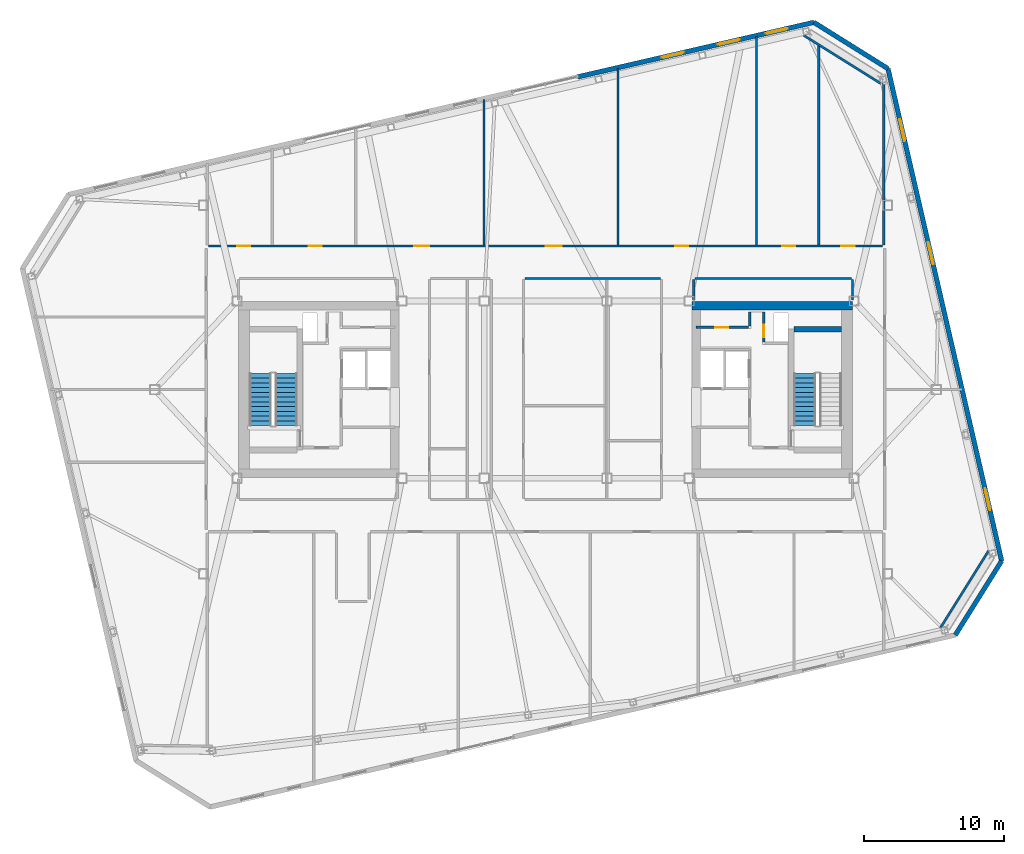
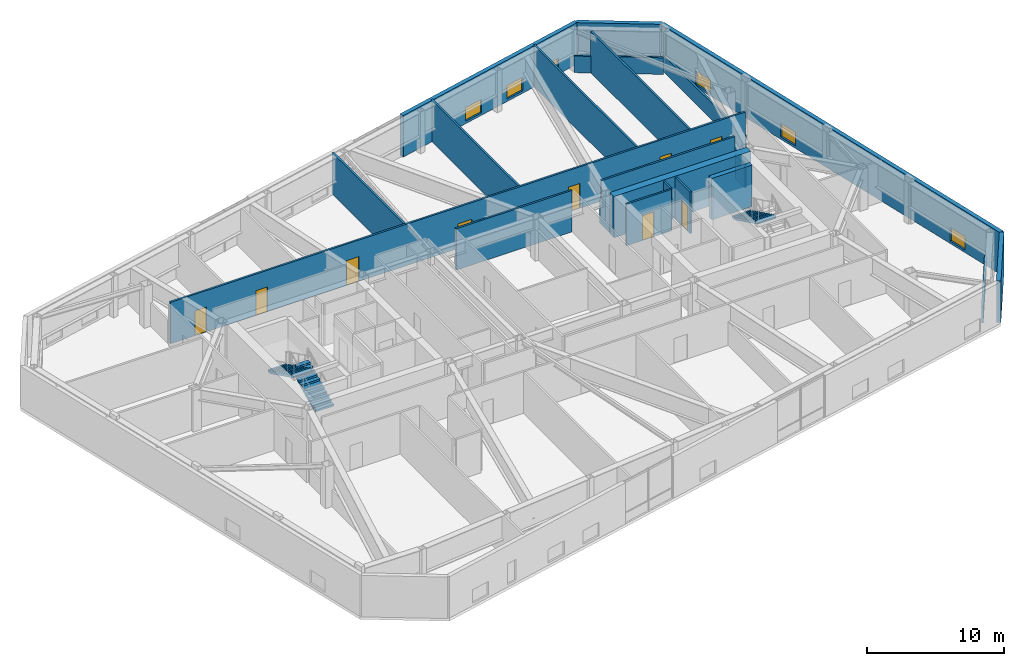
# One storey, part 19 of 23: 21 walls, 9 doors, 6 windows, 3 stair flights, 15 openings, 2 elements without a shape of their own.
"""IFC4 building model written with IfcOpenShell, lengths in metres."""

from ifc_helpers import new_model, si_unit, direction, frame, frame_2d, origin, place, context, subcontext, project, spatial, polyline, rectangle, outline, extrude, material, layer, layer_set, type_object, element, fill, aggregate, save


model = new_model("IFC4")

# Units and contexts
model_context = context("Model", 3, precision=1e-05, world=origin(), true_north=direction((0.0, 1.0)))
body_context = subcontext(model_context, "Body", "Model", "MODEL_VIEW")
ifc_project = project(units=[si_unit("LENGTHUNIT", "METRE"), si_unit("AREAUNIT", "SQUARE_METRE"), si_unit("VOLUMEUNIT", "CUBIC_METRE"), si_unit("PLANEANGLEUNIT", "RADIAN"), si_unit("MASSUNIT", "GRAM", prefix="KILO")], contexts=[model_context])

# Site, building, storey
site_placement = place(None, origin())
site = spatial("IfcSite", under=ifc_project, at=site_placement, CompositionType="ELEMENT")
building_placement = place(site_placement, origin())
building = spatial("IfcBuilding", under=site, at=building_placement, Name="Tavrogorsk Clinical Tower", CompositionType="ELEMENT")
storey_placement = place(building_placement, frame((0.0, 0.0, 329.0)))
storey = spatial("IfcBuildingStorey", under=building, at=storey_placement, Name="L77", CompositionType="ELEMENT", Elevation=329.0)

# Wall, opening, door
ifc_material_1 = material(Name="Lightweight concrete blockwork B15", Category="masonry")
ifc_layer_1 = layer(ifc_material_1, 0.159912109375)
ifc_layer_set_1 = layer_set([ifc_layer_1], Name="Lightweight concrete blockwork B15")
wall_type_1 = type_object("IfcWallType", Name="PartitionWall_160", PredefinedType="PARTITIONING", material=ifc_layer_set_1)
wall_1_placement = place(storey_placement, frame((10.800048828125, 4.4599609375, 0.0), z_axis=(0.0, 0.0, 1.0), x_axis=(1.0, 0.0, 0.0)))
wall_1 = element("IfcWall", 1, at=wall_1_placement, inside=storey, type_object=wall_type_1, Name="L77 Core East Pneumatic Dispatch South Wall", PredefinedType="PARTITIONING", context=body_context, shape_type="SweptSolid", body=[
    extrude(rectangle(XDim=3.7548828125, YDim=0.159912109375, at=frame_2d((1.87744140625, 0.0))), origin(), (0.0, 0.0, 1.0), 3.679931640625),
])
opening_1_placement = place(wall_1_placement, frame((1.35009765625, 0.0, 0.0)))
opening_1 = element("IfcOpeningElement", 2, at=opening_1_placement, cuts=wall_1, Name="Opening ID-02", PredefinedType="OPENING", context=body_context, shape_type="SweptSolid", body=[
    extrude(rectangle(XDim=0.949951171875, YDim=2.199951171875, at=frame_2d((0.47509765625, 1.10009765625))), frame((0.0, 0.08984375, 0.0), z_axis=(0.0, -1.0, 0.0), x_axis=(1.0, 0.0, 0.0)), (0.0, 0.0, 1.0), 0.179931640625),
])
ifc_material_2 = material(Name="Laminated timber leaf on aluminium frame", Category="wood")
door_type_1 = type_object("IfcDoorType", Name="InteriorDoor_ID02_950", OperationType="NOTDEFINED", PredefinedType="DOOR", material=ifc_material_2)
door_1_placement = place(opening_1_placement, origin())
door_1 = element("IfcDoor", 3, at=door_1_placement, inside=storey, type_object=door_type_1, Name="L77 Core East Pneumatic Dispatch Door", OperationType="SINGLE_SWING_LEFT", OverallHeight=2.199951171875, OverallWidth=0.949951171875, PredefinedType="DOOR", context=body_context, shape_type="SweptSolid", body=[
    extrude(rectangle(XDim=0.949951171875, YDim=2.199951171875, at=frame_2d((0.47509765625, 1.10009765625))), frame((0.0, 0.02490234375, 0.0), z_axis=(0.0, -1.0, 0.0), x_axis=(1.0, 0.0, 0.0)), (0.0, 0.0, 1.0), 0.050048828125),
])
fill(opening_1, door_1)

# Walls
wall_2_placement = place(storey_placement, frame((14.639892578125, 4.544921875, 0.0), z_axis=(0.0, 0.0, 1.0), x_axis=(0.0, 1.0, 0.0)))
element("IfcWall", 4, at=wall_2_placement, inside=storey, type_object=wall_type_1, Name="L77 Core East Pneumatic Dispatch East Wall", PredefinedType="PARTITIONING", context=body_context, shape_type="SweptSolid", body=[
    extrude(rectangle(XDim=1.01513671875, YDim=0.159912109375, at=frame_2d((0.507568359375, 0.0))), origin(), (0.0, 0.0, 1.0), 3.679931640625),
])
for number, where, z_axis, x_axis, name in (
    (5, (28.30029296875, -17.064697265625, 0.0), (0.0, 0.0, 1.0), (0.529914601736, 0.848051009591, 0.0), "L77 Corner Exoskeleton Brace Furring Wall 1"),
    (6, (24.018310546875, 21.9306640625, 0.0), (0.0, 0.0, 1.0), (-0.848051009591, 0.529914601736, 0.0), "L77 Corner Exoskeleton Brace Furring Wall 2"),
):
    element("IfcWall", number, at=place(storey_placement, frame(where, z_axis=z_axis, x_axis=x_axis)), inside=storey, type_object=wall_type_1, Name=name, PredefinedType="PARTITIONING", context=body_context, shape_type="SweptSolid", body=[
        extrude(rectangle(XDim=6.50537109375, YDim=0.159912109375, at=frame_2d((3.252685546875, 0.0))), origin(), (0.0, 0.0, 1.0), 1.47509765625),
    ])

# Wall, openings, doors
wall_3_placement = place(storey_placement, frame((-24.14501953125, 10.280029296875, 0.0), z_axis=(0.0, 0.0, 1.0), x_axis=(1.0, 0.0, 0.0)))
wall_3 = element("IfcWall", 7, at=wall_3_placement, inside=storey, type_object=wall_type_1, Name="L77 Corridor Partition 02", PredefinedType="PARTITIONING", context=body_context, shape_type="SweptSolid", body=[
    extrude(rectangle(XDim=48.2900390625, YDim=0.159912109375, at=frame_2d((24.14501953125, 0.0))), origin(), (0.0, 0.0, 1.0), 3.679931640625),
])
opening_2_placement = place(wall_3_placement, frame((2.044189453125, 0.0, 0.0)))
opening_2 = element("IfcOpeningElement", 8, at=opening_2_placement, cuts=wall_3, Name="Opening ID-02", PredefinedType="OPENING", context=body_context, shape_type="SweptSolid", body=[
    extrude(rectangle(XDim=0.949951171875, YDim=2.199951171875, at=frame_2d((0.47509765625, 1.10009765625))), frame((0.0, 0.08984375, 0.0), z_axis=(0.0, -1.0, 0.0), x_axis=(1.0, 0.0, 0.0)), (0.0, 0.0, 1.0), 0.179931640625),
])
opening_3_placement = place(wall_3_placement, frame((7.1650390625, 0.0, 0.0)))
opening_3 = element("IfcOpeningElement", 9, at=opening_3_placement, cuts=wall_3, Name="Opening ID-02", PredefinedType="OPENING", context=body_context, shape_type="SweptSolid", body=[
    extrude(rectangle(XDim=0.949951171875, YDim=2.199951171875, at=frame_2d((0.47509765625, 1.10009765625))), frame((0.0, 0.08984375, 0.0), z_axis=(0.0, -1.0, 0.0), x_axis=(1.0, 0.0, 0.0)), (0.0, 0.0, 1.0), 0.179931640625),
])
opening_4_placement = place(wall_3_placement, frame((14.7548828125, 0.0, 0.0)))
opening_4 = element("IfcOpeningElement", 10, at=opening_4_placement, cuts=wall_3, Name="Opening ID-04", PredefinedType="OPENING", context=body_context, shape_type="SweptSolid", body=[
    extrude(rectangle(XDim=1.050048828125, YDim=2.199951171875, at=frame_2d((0.52490234375, 1.10009765625))), frame((0.0, 0.08984375, 0.0), z_axis=(0.0, -1.0, 0.0), x_axis=(1.0, 0.0, 0.0)), (0.0, 0.0, 1.0), 0.179931640625),
])
opening_5_placement = place(wall_3_placement, frame((24.155029296875, 0.0, 0.0)))
opening_5 = element("IfcOpeningElement", 11, at=opening_5_placement, cuts=wall_3, Name="Opening ID-06", PredefinedType="OPENING", context=body_context, shape_type="SweptSolid", body=[
    extrude(rectangle(XDim=1.14990234375, YDim=2.199951171875, at=frame_2d((0.574951171875, 1.10009765625))), frame((0.0, 0.08984375, 0.0), z_axis=(0.0, -1.0, 0.0), x_axis=(1.0, 0.0, 0.0)), (0.0, 0.0, 1.0), 0.179931640625),
])
opening_6_placement = place(wall_3_placement, frame((33.43505859375, 0.0, 0.0)))
opening_6 = element("IfcOpeningElement", 12, at=opening_6_placement, cuts=wall_3, Name="Opening ID-02", PredefinedType="OPENING", context=body_context, shape_type="SweptSolid", body=[
    extrude(rectangle(XDim=0.949951171875, YDim=2.199951171875, at=frame_2d((0.47509765625, 1.10009765625))), frame((0.0, 0.08984375, 0.0), z_axis=(0.0, -1.0, 0.0), x_axis=(1.0, 0.0, 0.0)), (0.0, 0.0, 1.0), 0.179931640625),
])
opening_7_placement = place(wall_3_placement, frame((41.10498046875, 0.0, 0.0)))
opening_7 = element("IfcOpeningElement", 13, at=opening_7_placement, cuts=wall_3, Name="Opening ID-02", PredefinedType="OPENING", context=body_context, shape_type="SweptSolid", body=[
    extrude(rectangle(XDim=0.949951171875, YDim=2.199951171875, at=frame_2d((0.47509765625, 1.10009765625))), frame((0.0, 0.08984375, 0.0), z_axis=(0.0, -1.0, 0.0), x_axis=(1.0, 0.0, 0.0)), (0.0, 0.0, 1.0), 0.179931640625),
])
opening_8_placement = place(wall_3_placement, frame((45.345947265625, 0.0, 0.0)))
opening_8 = element("IfcOpeningElement", 14, at=opening_8_placement, cuts=wall_3, Name="Opening ID-02", PredefinedType="OPENING", context=body_context, shape_type="SweptSolid", body=[
    extrude(rectangle(XDim=0.949951171875, YDim=2.199951171875, at=frame_2d((0.47509765625, 1.10009765625))), frame((0.0, 0.08984375, 0.0), z_axis=(0.0, -1.0, 0.0), x_axis=(1.0, 0.0, 0.0)), (0.0, 0.0, 1.0), 0.179931640625),
])
ifc_material_3 = material(Name="Antibacterial HPL consultation door on aluminium frame", Category="aluminium")
door_type_2 = type_object("IfcDoorType", Name="ConsultDoor_ID04_1050", OperationType="NOTDEFINED", PredefinedType="DOOR", material=ifc_material_3)
door_2_placement = place(opening_4_placement, origin())
door_2 = element("IfcDoor", 15, at=door_2_placement, inside=storey, type_object=door_type_2, Name="L77 North Telemedicine & AI Diagnostics Research Office 03 Door", OperationType="SINGLE_SWING_LEFT", OverallHeight=2.199951171875, OverallWidth=1.050048828125, PredefinedType="DOOR", context=body_context, shape_type="SweptSolid", body=[
    extrude(rectangle(XDim=1.050048828125, YDim=2.199951171875, at=frame_2d((0.52490234375, 1.10009765625))), frame((0.0, 0.02490234375, 0.0), z_axis=(0.0, -1.0, 0.0), x_axis=(1.0, 0.0, 0.0)), (0.0, 0.0, 1.0), 0.050048828125),
])
fill(opening_4, door_2)
door_3_placement = place(opening_2_placement, origin())
door_3 = element("IfcDoor", 16, at=door_3_placement, inside=storey, type_object=door_type_1, Name="L77 North Senior Faculty Study & Library 01 Door", OperationType="SINGLE_SWING_LEFT", OverallHeight=2.199951171875, OverallWidth=0.949951171875, PredefinedType="DOOR", context=body_context, shape_type="SweptSolid", body=[
    extrude(rectangle(XDim=0.949951171875, YDim=2.199951171875, at=frame_2d((0.47509765625, 1.10009765625))), frame((0.0, 0.02490234375, 0.0), z_axis=(0.0, -1.0, 0.0), x_axis=(1.0, 0.0, 0.0)), (0.0, 0.0, 1.0), 0.050048828125),
])
fill(opening_2, door_3)
door_4_placement = place(opening_3_placement, origin())
door_4 = element("IfcDoor", 17, at=door_4_placement, inside=storey, type_object=door_type_1, Name="L77 North Grand Rounds Academic Lecture Hall 02 Door", OperationType="SINGLE_SWING_RIGHT", OverallHeight=2.199951171875, OverallWidth=0.949951171875, PredefinedType="DOOR", context=body_context, shape_type="SweptSolid", body=[
    extrude(rectangle(XDim=0.949951171875, YDim=2.199951171875, at=frame_2d((0.47509765625, 1.10009765625))), frame((0.0, 0.02490234375, 0.0), z_axis=(0.0, -1.0, 0.0), x_axis=(1.0, 0.0, 0.0)), (0.0, 0.0, 1.0), 0.050048828125),
])
fill(opening_3, door_4)
door_5_placement = place(opening_6_placement, origin())
door_5 = element("IfcDoor", 18, at=door_5_placement, inside=storey, type_object=door_type_1, Name="L77 North Senior Faculty Study & Library 05 Door", OperationType="SINGLE_SWING_LEFT", OverallHeight=2.199951171875, OverallWidth=0.949951171875, PredefinedType="DOOR", context=body_context, shape_type="SweptSolid", body=[
    extrude(rectangle(XDim=0.949951171875, YDim=2.199951171875, at=frame_2d((0.47509765625, 1.10009765625))), frame((0.0, 0.02490234375, 0.0), z_axis=(0.0, -1.0, 0.0), x_axis=(1.0, 0.0, 0.0)), (0.0, 0.0, 1.0), 0.050048828125),
])
fill(opening_6, door_5)
door_6_placement = place(opening_7_placement, origin())
door_6 = element("IfcDoor", 19, at=door_6_placement, inside=storey, type_object=door_type_1, Name="L77 North Grand Rounds Academic Lecture Hall 06 Door", OperationType="SINGLE_SWING_RIGHT", OverallHeight=2.199951171875, OverallWidth=0.949951171875, PredefinedType="DOOR", context=body_context, shape_type="SweptSolid", body=[
    extrude(rectangle(XDim=0.949951171875, YDim=2.199951171875, at=frame_2d((0.47509765625, 1.10009765625))), frame((0.0, 0.02490234375, 0.0), z_axis=(0.0, -1.0, 0.0), x_axis=(1.0, 0.0, 0.0)), (0.0, 0.0, 1.0), 0.050048828125),
])
fill(opening_7, door_6)
door_7_placement = place(opening_8_placement, origin())
door_7 = element("IfcDoor", 20, at=door_7_placement, inside=storey, type_object=door_type_1, Name="L77 North Telemedicine & AI Diagnostics Research Office 07 Door", OperationType="SINGLE_SWING_LEFT", OverallHeight=2.199951171875, OverallWidth=0.949951171875, PredefinedType="DOOR", context=body_context, shape_type="SweptSolid", body=[
    extrude(rectangle(XDim=0.949951171875, YDim=2.199951171875, at=frame_2d((0.47509765625, 1.10009765625))), frame((0.0, 0.02490234375, 0.0), z_axis=(0.0, -1.0, 0.0), x_axis=(1.0, 0.0, 0.0)), (0.0, 0.0, 1.0), 0.050048828125),
])
fill(opening_8, door_7)
ifc_material_4 = material(Name="Antibacterial HPL procedure door on aluminium frame", Category="aluminium")
door_type_3 = type_object("IfcDoorType", Name="LabDoor_ID06_1150", OperationType="NOTDEFINED", PredefinedType="DOOR", material=ifc_material_4)
door_8_placement = place(opening_5_placement, origin())
door_8 = element("IfcDoor", 21, at=door_8_placement, inside=storey, type_object=door_type_3, Name="L77 North Visiting Clinicians Panorama Lounge 04 Door", OperationType="SINGLE_SWING_RIGHT", OverallHeight=2.199951171875, OverallWidth=1.14990234375, PredefinedType="DOOR", context=body_context, shape_type="SweptSolid", body=[
    extrude(rectangle(XDim=1.14990234375, YDim=2.199951171875, at=frame_2d((0.574951171875, 1.10009765625))), frame((0.0, 0.02490234375, 0.0), z_axis=(0.0, -1.0, 0.0), x_axis=(1.0, 0.0, 0.0)), (0.0, 0.0, 1.0), 0.050048828125),
])
fill(opening_5, door_8)

# Walls
wall_4_placement = place(storey_placement, frame((21.9150390625, 7.969970703125, 0.0), z_axis=(0.0, 0.0, 1.0), x_axis=(-1.0, 0.0, 0.0)))
element("IfcWall", 22, at=wall_4_placement, inside=storey, type_object=wall_type_1, Name="L77 Corridor Partition 09", PredefinedType="PARTITIONING", context=body_context, shape_type="SweptSolid", body=[
    extrude(rectangle(XDim=11.199951171875, YDim=0.159912109375, at=frame_2d((5.60009765625, 0.0))), origin(), (0.0, 0.0, 1.0), 3.679931640625),
])
for number, where, z_axis, x_axis, name in (
    (23, (10.6298828125, 7.885009765625, 0.0), (0.0, 0.0, 1.0), (0.0, -1.0, 0.0), "L77 Corridor Partition 10"),
    (24, (22.0, 6.419921875, 0.0), (0.0, 0.0, 1.0), (0.0, 1.0, 0.0), "L77 Corridor Partition 14"),
):
    element("IfcWall", number, at=place(storey_placement, frame(where, z_axis=z_axis, x_axis=x_axis)), inside=storey, type_object=wall_type_1, Name=name, PredefinedType="PARTITIONING", context=body_context, shape_type="SweptSolid", body=[
        extrude(rectangle(XDim=1.465087890625, YDim=0.159912109375, at=frame_2d((0.732421875, 0.0))), origin(), (0.0, 0.0, 1.0), 2.074951171875),
    ])
wall_5_placement = place(storey_placement, frame((8.235107421875, 7.969970703125, 0.0), z_axis=(0.0, 0.0, 1.0), x_axis=(-1.0, 0.0, 0.0)))
element("IfcWall", 25, at=wall_5_placement, inside=storey, type_object=wall_type_1, Name="L77 Corridor Partition 15", PredefinedType="PARTITIONING", context=body_context, shape_type="SweptSolid", body=[
    extrude(rectangle(XDim=9.72021484375, YDim=0.159912109375, at=frame_2d((4.860107421875, 0.0))), origin(), (0.0, 0.0, 1.0), 3.679931640625),
])
wall_6_placement = place(storey_placement, frame((24.22998046875, 10.364990234375, 0.0), z_axis=(0.0, 0.0, 1.0), x_axis=(0.0, 1.0, 0.0)))
element("IfcWall", 26, at=wall_6_placement, inside=storey, type_object=wall_type_1, Name="L77 NE Wing Closure Partition", PredefinedType="PARTITIONING", context=body_context, shape_type="SweptSolid", body=[
    extrude(rectangle(XDim=12.206298828125, YDim=0.159912109375, at=frame_2d((6.10302734375, 0.0))), origin(), (0.0, 0.0, 1.0), 1.47509765625),
])
wall_7_placement = place(storey_placement, frame((-4.39990234375, 10.364990234375, 0.0), z_axis=(0.0, 0.0, 1.0), x_axis=(0.0, 1.0, 0.0)))
element("IfcWall", 27, at=wall_7_placement, inside=storey, type_object=wall_type_1, Name="L77 North Room Partition 3", PredefinedType="PARTITIONING", context=body_context, shape_type="SweptSolid", body=[
    extrude(rectangle(XDim=10.424072265625, YDim=0.159912109375, at=frame_2d((5.2119140625, 0.0))), origin(), (0.0, 0.0, 1.0), 3.679931640625),
])
wall_8_placement = place(storey_placement, frame((5.199951171875, 10.364990234375, 0.0), z_axis=(0.0, 0.0, 1.0), x_axis=(0.0, 1.0, 0.0)))
element("IfcWall", 28, at=wall_8_placement, inside=storey, type_object=wall_type_1, Name="L77 North Room Partition 4", PredefinedType="PARTITIONING", context=body_context, shape_type="SweptSolid", body=[
    extrude(rectangle(XDim=12.640380859375, YDim=0.159912109375, at=frame_2d((6.3203125, 0.0))), origin(), (0.0, 0.0, 1.0), 3.679931640625),
])
wall_9_placement = place(storey_placement, frame((15.1201171875, 10.364990234375, 0.0), z_axis=(0.0, 0.0, 1.0), x_axis=(0.0, 1.0, 0.0)))
element("IfcWall", 29, at=wall_9_placement, inside=storey, type_object=wall_type_1, Name="L77 North Room Partition 5", PredefinedType="PARTITIONING", context=body_context, shape_type="SweptSolid", body=[
    extrude(rectangle(XDim=14.9306640625, YDim=0.159912109375, at=frame_2d((7.46533203125, 0.0))), origin(), (0.0, 0.0, 1.0), 3.679931640625),
])
wall_10_placement = place(storey_placement, frame((19.580078125, 10.364990234375, 0.0), z_axis=(0.0, 0.0, 1.0), x_axis=(0.0, 1.0, 0.0)))
element("IfcWall", 30, at=wall_10_placement, inside=storey, type_object=wall_type_1, Name="L77 North Room Partition 6", PredefinedType="PARTITIONING", context=body_context, shape_type="SweptSolid", body=[
    extrude(rectangle(XDim=14.348388671875, YDim=0.159912109375, at=frame_2d((7.17431640625, 0.0))), origin(), (0.0, 0.0, 1.0), 3.679931640625),
])

# Wall, openings, windows
ifc_material_5 = material(Name="Precast concrete B45 with limestone cladding", Category="masonry")
ifc_layer_2 = layer(ifc_material_5, 0.340087890625)
ifc_layer_set_2 = layer_set([ifc_layer_2], Name="Precast concrete B45 with limestone cladding")
wall_type_2 = type_object("IfcWallType", Name="PrecastLimestoneWall_340", PredefinedType="STANDARD", material=ifc_layer_set_2)
wall_11_placement = place(storey_placement, frame((19.2294921875, 26.316162109375, 0.0), z_axis=(0.0, 0.0, 1.0), x_axis=(-0.974372473594, -0.224940620392, 0.0)))
wall_11 = element("IfcWall", 31, at=wall_11_placement, inside=storey, type_object=wall_type_2, Name="L77 N Limestone Facade Wall 1", PredefinedType="STANDARD", context=body_context, shape_type="SweptSolid", body=[
    extrude(rectangle(XDim=17.36572265625, YDim=0.340087890625, at=frame_2d((8.682861328125, 0.0))), origin(), (0.0, 0.0, 1.0), 3.679931640625),
])
opening_9_placement = place(wall_11_placement, frame((9.57568359375, 0.0, 0.219970703125)))
opening_9 = element("IfcOpeningElement", 32, at=opening_9_placement, cuts=wall_11, Name="Opening WN-09", PredefinedType="OPENING", context=body_context, shape_type="SweptSolid", body=[
    extrude(rectangle(XDim=1.60009765625, YDim=1.199951171875, at=frame_2d((0.800048828125, 0.60009765625))), frame((0.0, 0.179931640625, 0.0), z_axis=(0.0, -1.0, 0.0), x_axis=(1.0, 0.0, 0.0)), (0.0, 0.0, 1.0), 0.360107421875),
])
opening_10_placement = place(wall_11_placement, frame((5.453125, 0.0, 0.219970703125)))
opening_10 = element("IfcOpeningElement", 33, at=opening_10_placement, cuts=wall_11, Name="Opening WN-09", PredefinedType="OPENING", context=body_context, shape_type="SweptSolid", body=[
    extrude(rectangle(XDim=1.60009765625, YDim=1.199951171875, at=frame_2d((0.800048828125, 0.60009765625))), frame((0.0, 0.179931640625, 0.0), z_axis=(0.0, -1.0, 0.0), x_axis=(1.0, 0.0, 0.0)), (0.0, 0.0, 1.0), 0.360107421875),
])
opening_11_placement = place(wall_11_placement, frame((1.94140625, 0.0, 0.219970703125)))
opening_11 = element("IfcOpeningElement", 34, at=opening_11_placement, cuts=wall_11, Name="Opening WN-09", PredefinedType="OPENING", context=body_context, shape_type="SweptSolid", body=[
    extrude(rectangle(XDim=1.60009765625, YDim=1.199951171875, at=frame_2d((0.800048828125, 0.60009765625))), frame((0.0, 0.179931640625, 0.0), z_axis=(0.0, -1.0, 0.0), x_axis=(1.0, 0.0, 0.0)), (0.0, 0.0, 1.0), 0.360107421875),
])
ifc_material_6 = material(Name="Thermally broken aluminium frame and triple IGU", Category="aluminium")
window_type = type_object("IfcWindowType", Name="LowHeadTransWin_1600x1200", PartitioningType="DOUBLE_PANEL_VERTICAL", PredefinedType="WINDOW", material=ifc_material_6)
window_1_placement = place(opening_9_placement, origin())
window_1 = element("IfcWindow", 35, at=window_1_placement, inside=storey, type_object=window_type, Name="L77 N Chicago Window 08", OverallHeight=1.199951171875, OverallWidth=1.60009765625, PartitioningType="SINGLE_PANEL", PredefinedType="WINDOW", context=body_context, shape_type="SweptSolid", body=[
    extrude(rectangle(XDim=1.60009765625, YDim=1.199951171875, at=frame_2d((0.800048828125, 0.60009765625))), frame((0.0, 0.030029296875, 0.0), z_axis=(0.0, -1.0, 0.0), x_axis=(1.0, 0.0, 0.0)), (0.0, 0.0, 1.0), 0.06005859375),
])
fill(opening_9, window_1)
window_2_placement = place(opening_10_placement, origin())
window_2 = element("IfcWindow", 36, at=window_2_placement, inside=storey, type_object=window_type, Name="L77 N Chicago Window 09", OverallHeight=1.199951171875, OverallWidth=1.60009765625, PartitioningType="SINGLE_PANEL", PredefinedType="WINDOW", context=body_context, shape_type="SweptSolid", body=[
    extrude(rectangle(XDim=1.60009765625, YDim=1.199951171875, at=frame_2d((0.800048828125, 0.60009765625))), frame((0.0, 0.030029296875, 0.0), z_axis=(0.0, -1.0, 0.0), x_axis=(1.0, 0.0, 0.0)), (0.0, 0.0, 1.0), 0.06005859375),
])
fill(opening_10, window_2)
window_3_placement = place(opening_11_placement, origin())
window_3 = element("IfcWindow", 37, at=window_3_placement, inside=storey, type_object=window_type, Name="L77 N Chicago Window 10", OverallHeight=1.199951171875, OverallWidth=1.60009765625, PartitioningType="SINGLE_PANEL", PredefinedType="WINDOW", context=body_context, shape_type="SweptSolid", body=[
    extrude(rectangle(XDim=1.60009765625, YDim=1.199951171875, at=frame_2d((0.800048828125, 0.60009765625))), frame((0.0, 0.030029296875, 0.0), z_axis=(0.0, -1.0, 0.0), x_axis=(1.0, 0.0, 0.0)), (0.0, 0.0, 1.0), 0.06005859375),
])
fill(opening_11, window_3)

wall_12_placement = place(storey_placement, frame((32.685791015625, -12.27587890625, 0.0), z_axis=(0.0, 0.0, 1.0), x_axis=(-0.224953091034, 0.974369594576, 0.0)))
wall_12 = element("IfcWall", 38, at=wall_12_placement, inside=storey, type_object=wall_type_2, Name="L77 E Pleated Limestone Wing Wall", PredefinedType="STANDARD", context=body_context, shape_type="SweptSolid", body=[
    extrude(rectangle(XDim=36.199951171875, YDim=0.340087890625, at=frame_2d((18.10009765625, 0.0))), origin(), (0.0, 0.0, 1.0), 3.679931640625),
])
opening_12_placement = place(wall_12_placement, frame((3.72509765625, 0.0, 0.219970703125)))
opening_12 = element("IfcOpeningElement", 39, at=opening_12_placement, cuts=wall_12, Name="Opening WN-09", PredefinedType="OPENING", context=body_context, shape_type="SweptSolid", body=[
    extrude(rectangle(XDim=1.60009765625, YDim=1.199951171875, at=frame_2d((0.800048828125, 0.60009765625))), frame((0.0, 0.179931640625, 0.0), z_axis=(0.0, -1.0, 0.0), x_axis=(1.0, 0.0, 0.0)), (0.0, 0.0, 1.0), 0.360107421875),
])
opening_13_placement = place(wall_12_placement, frame((21.824951171875, 0.0, 0.219970703125)))
opening_13 = element("IfcOpeningElement", 40, at=opening_13_placement, cuts=wall_12, Name="Opening WN-09", PredefinedType="OPENING", context=body_context, shape_type="SweptSolid", body=[
    extrude(rectangle(XDim=1.60009765625, YDim=1.199951171875, at=frame_2d((0.800048828125, 0.60009765625))), frame((0.0, 0.179931640625, 0.0), z_axis=(0.0, -1.0, 0.0), x_axis=(1.0, 0.0, 0.0)), (0.0, 0.0, 1.0), 0.360107421875),
])
opening_14_placement = place(wall_12_placement, frame((30.875, 0.0, 0.219970703125)))
opening_14 = element("IfcOpeningElement", 41, at=opening_14_placement, cuts=wall_12, Name="Opening WN-09", PredefinedType="OPENING", context=body_context, shape_type="SweptSolid", body=[
    extrude(rectangle(XDim=1.60009765625, YDim=1.199951171875, at=frame_2d((0.800048828125, 0.60009765625))), frame((0.0, 0.179931640625, 0.0), z_axis=(0.0, -1.0, 0.0), x_axis=(1.0, 0.0, 0.0)), (0.0, 0.0, 1.0), 0.360107421875),
])
window_4_placement = place(opening_12_placement, origin())
window_4 = element("IfcWindow", 42, at=window_4_placement, inside=storey, type_object=window_type, Name="L77 E Pleat Slot Window 1", OverallHeight=1.199951171875, OverallWidth=1.60009765625, PartitioningType="SINGLE_PANEL", PredefinedType="WINDOW", context=body_context, shape_type="SweptSolid", body=[
    extrude(rectangle(XDim=1.60009765625, YDim=1.199951171875, at=frame_2d((0.800048828125, 0.60009765625))), frame((0.0, 0.030029296875, 0.0), z_axis=(0.0, -1.0, 0.0), x_axis=(1.0, 0.0, 0.0)), (0.0, 0.0, 1.0), 0.06005859375),
])
fill(opening_12, window_4)
window_5_placement = place(opening_13_placement, origin())
window_5 = element("IfcWindow", 43, at=window_5_placement, inside=storey, type_object=window_type, Name="L77 E Pleat Slot Window 3", OverallHeight=1.199951171875, OverallWidth=1.60009765625, PartitioningType="SINGLE_PANEL", PredefinedType="WINDOW", context=body_context, shape_type="SweptSolid", body=[
    extrude(rectangle(XDim=1.60009765625, YDim=1.199951171875, at=frame_2d((0.800048828125, 0.60009765625))), frame((0.0, 0.030029296875, 0.0), z_axis=(0.0, -1.0, 0.0), x_axis=(1.0, 0.0, 0.0)), (0.0, 0.0, 1.0), 0.06005859375),
])
fill(opening_13, window_5)
window_6_placement = place(opening_14_placement, origin())
window_6 = element("IfcWindow", 44, at=window_6_placement, inside=storey, type_object=window_type, Name="L77 E Pleat Slot Window 4", OverallHeight=1.199951171875, OverallWidth=1.60009765625, PartitioningType="SINGLE_PANEL", PredefinedType="WINDOW", context=body_context, shape_type="SweptSolid", body=[
    extrude(rectangle(XDim=1.60009765625, YDim=1.199951171875, at=frame_2d((0.800048828125, 0.60009765625))), frame((0.0, 0.030029296875, 0.0), z_axis=(0.0, -1.0, 0.0), x_axis=(1.0, 0.0, 0.0)), (0.0, 0.0, 1.0), 0.06005859375),
])
fill(opening_14, window_6)

# Walls
for number, where, z_axis, x_axis, name in (
    (45, (29.365966796875, -17.5888671875, 0.0), (0.0, 0.0, 1.0), (0.529907862057, 0.848055220921, 0.0), "L77 Chamfered Corner Wall 1"),
    (46, (24.54248046875, 22.996337890625, 0.0), (0.0, 0.0, 1.0), (-0.848055220921, 0.529907862057, 0.0), "L77 Chamfered Corner Wall 2"),
):
    element("IfcWall", number, at=place(storey_placement, frame(where, z_axis=z_axis, x_axis=x_axis)), inside=storey, type_object=wall_type_2, Name=name, PredefinedType="STANDARD", context=body_context, shape_type="SweptSolid", body=[
        extrude(rectangle(XDim=6.264892578125, YDim=0.340087890625, at=frame_2d((3.13232421875, 0.0))), origin(), (0.0, 0.0, 1.0), 3.679931640625),
    ])

# Wall, opening, door
ifc_material_7 = material(Name="Lightweight concrete blockwork B25", Category="masonry")
ifc_layer_3 = layer(ifc_material_7, 0.159912109375)
ifc_layer_set_3 = layer_set([ifc_layer_3], Name="Lightweight concrete blockwork B25")
wall_type_3 = type_object("IfcWallType", Name="ShaftWall_160", PredefinedType="PARTITIONING", material=ifc_layer_set_3)
wall_13_placement = place(storey_placement, frame((15.639892578125, 3.405029296875, 0.0), z_axis=(0.0, 0.0, 1.0), x_axis=(0.0, 1.0, 0.0)))
wall_13 = element("IfcWall", 47, at=wall_13_placement, inside=storey, type_object=wall_type_3, Name="L77 Core East Riser West Wall", PredefinedType="PARTITIONING", context=body_context, shape_type="SweptSolid", body=[
    extrude(rectangle(XDim=2.155029296875, YDim=0.159912109375, at=frame_2d((1.07763671875, 0.0))), origin(), (0.0, 0.0, 1.0), 3.679931640625),
])
opening_15_placement = place(wall_13_placement, frame((0.35009765625, 0.0, 0.0)))
opening_15 = element("IfcOpeningElement", 48, at=opening_15_placement, cuts=wall_13, Name="Opening FD-02", PredefinedType="OPENING", context=body_context, shape_type="SweptSolid", body=[
    extrude(rectangle(XDim=0.89990234375, YDim=2.199951171875, at=frame_2d((0.449951171875, 1.10009765625))), frame((0.0, 0.08984375, 0.0), z_axis=(0.0, -1.0, 0.0), x_axis=(1.0, 0.0, 0.0)), (0.0, 0.0, 1.0), 0.179931640625),
])
ifc_material_8 = material(Name="Galvanised steel fire-rated door assembly", Category="steel")
door_type_4 = type_object("IfcDoorType", Name="FireDoor_FD02_900", OperationType="NOTDEFINED", PredefinedType="DOOR", material=ifc_material_8)
door_9_placement = place(opening_15_placement, origin())
door_9 = element("IfcDoor", 49, at=door_9_placement, inside=storey, type_object=door_type_4, Name="L77 Core East Electrical Riser Access Door", OperationType="SINGLE_SWING_LEFT", OverallHeight=2.199951171875, OverallWidth=0.89990234375, PredefinedType="DOOR", context=body_context, shape_type="SweptSolid", body=[
    extrude(rectangle(XDim=0.89990234375, YDim=2.199951171875, at=frame_2d((0.449951171875, 1.10009765625))), frame((0.0, 0.02490234375, 0.0), z_axis=(0.0, -1.0, 0.0), x_axis=(1.0, 0.0, 0.0)), (0.0, 0.0, 1.0), 0.050048828125),
])
fill(opening_15, door_9)

# Walls
ifc_material_9 = material(Name="Concrete B80", Category="concrete")
ifc_layer_4 = layer(ifc_material_9, 0.39990234375)
ifc_layer_set_4 = layer_set([ifc_layer_4], Name="Concrete B80")
wall_type_4 = type_object("IfcWallType", Name="ShearWall_400", PredefinedType="SHEAR", material=ifc_layer_set_4)
wall_14_placement = place(storey_placement, frame((17.800048828125, 4.324951171875, 0.0), z_axis=(0.0, 0.0, 1.0), x_axis=(1.0, 0.0, 0.0)))
element("IfcWall", 50, at=wall_14_placement, inside=storey, type_object=wall_type_4, Name="L77 Core East Stair Shaft North Shear Wall", PredefinedType="SHEAR", context=body_context, shape_type="SweptSolid", body=[
    extrude(rectangle(XDim=3.39990234375, YDim=0.39990234375, at=frame_2d((1.699951171875, 0.0))), origin(), (0.0, 0.0, 1.0), 3.679931640625),
])
ifc_material_10 = material(Name="Concrete B80", Category="concrete")
ifc_layer_5 = layer(ifc_material_10, 0.60009765625)
ifc_layer_set_5 = layer_set([ifc_layer_5], Name="Concrete B80")
wall_type_5 = type_object("IfcWallType", Name="ShearWall_600", PredefinedType="SHEAR", material=ifc_layer_set_5)
wall_15_placement = place(storey_placement, frame((10.5, 6.0, 0.0), z_axis=(0.0, 0.0, 1.0), x_axis=(1.0, 0.0, 0.0)))
element("IfcWall", 51, at=wall_15_placement, inside=storey, type_object=wall_type_5, Name="L77 Core East North Shear Wall", PredefinedType="SHEAR", context=body_context, shape_type="SweptSolid", body=[
    extrude(rectangle(XDim=11.5, YDim=0.60009765625, at=frame_2d((5.75, 0.0))), origin(), (0.0, 0.0, 1.0), 3.679931640625),
])

# Stair, stair flights
ifc_material_11 = material(Name="Concrete B60", Category="concrete")
stair_type = type_object("IfcStairType", Name="CoreStairAssembly", PredefinedType="HALF_TURN_STAIR", material=ifc_material_11)
stair_1_placement = place(storey_placement, origin())
stair_1 = element("IfcStair", 52, at=stair_1_placement, inside=storey, type_object=stair_type, Name="L77 ST-W", PredefinedType="HALF_TURN_STAIR")
ifc_material_12 = material(Name="Concrete B60", Category="concrete")
stair_flight_type = type_object("IfcStairFlightType", Name="CoreStairFlight", PredefinedType="STRAIGHT", material=ifc_material_12)
stair_flight_1_placement = place(storey_placement, frame((-18.574951171875, -2.574951171875, 0.0), z_axis=(0.0, 0.0, 1.0), x_axis=(0.0, 1.0, 0.0)))
stair_flight_1 = element("IfcStairFlight", 53, at=stair_flight_1_placement, type_object=stair_flight_type, Name="ST-W flight 1", NumberOfRisers=12, NumberOfTreads=11, PredefinedType="STRAIGHT", RiserHeight=0.166666667, TreadLength=0.34, context=body_context, shape_type="SweptSolid", body=[
    extrude(outline(polyline([(0.0, 0.0), (0.0, 0.166748046875), (0.340087890625, 0.166748046875), (0.340087890625, 0.333251953125), (0.679931640625, 0.333251953125), (0.679931640625, 0.5), (1.02001953125, 0.5), (1.02001953125, 0.666748046875), (1.360107421875, 0.666748046875), (1.360107421875, 0.833251953125), (1.699951171875, 0.833251953125), (1.699951171875, 1.0), (2.0400390625, 1.0), (2.0400390625, 1.166748046875), (2.3798828125, 1.166748046875), (2.3798828125, 1.333251953125), (2.719970703125, 1.333251953125), (2.719970703125, 1.5), (3.06005859375, 1.5), (3.06005859375, 1.666748046875), (3.39990234375, 1.666748046875), (3.39990234375, 1.833251953125), (3.739990234375, 1.833251953125), (3.739990234375, 2.0), (3.739990234375, 1.66650390625), (0.340576171875, 0.0), (0.0, 0.0)])), frame((0.0, 0.77490234375, 0.0), z_axis=(0.0, -1.0, 0.0), x_axis=(1.0, 0.0, 0.0)), (0.0, 0.0, 1.0), 1.550048828125),
])
stair_flight_2_placement = place(storey_placement, frame((-20.425048828125, 1.1650390625, 2.0), z_axis=(0.0, 0.0, 1.0), x_axis=(0.0, -1.0, 0.0)))
stair_flight_2 = element("IfcStairFlight", 54, at=stair_flight_2_placement, type_object=stair_flight_type, Name="ST-W flight 2", NumberOfRisers=12, NumberOfTreads=11, PredefinedType="STRAIGHT", RiserHeight=0.166666667, TreadLength=0.34, context=body_context, shape_type="SweptSolid", body=[
    extrude(outline(polyline([(0.0, 0.0), (0.0, 0.166748046875), (0.340087890625, 0.166748046875), (0.340087890625, 0.333251953125), (0.679931640625, 0.333251953125), (0.679931640625, 0.5), (1.02001953125, 0.5), (1.02001953125, 0.666748046875), (1.360107421875, 0.666748046875), (1.360107421875, 0.833251953125), (1.699951171875, 0.833251953125), (1.699951171875, 1.0), (2.0400390625, 1.0), (2.0400390625, 1.166748046875), (2.3798828125, 1.166748046875), (2.3798828125, 1.333251953125), (2.719970703125, 1.333251953125), (2.719970703125, 1.5), (3.06005859375, 1.5), (3.06005859375, 1.666748046875), (3.39990234375, 1.666748046875), (3.39990234375, 1.833251953125), (3.739990234375, 1.833251953125), (3.739990234375, 2.0), (3.739990234375, 1.66650390625), (0.340576171875, 0.0), (0.0, 0.0)])), frame((0.0, 0.77490234375, 0.0), z_axis=(0.0, -1.0, 0.0), x_axis=(1.0, 0.0, 0.0)), (0.0, 0.0, 1.0), 1.550048828125),
])
aggregate(stair_1, [stair_flight_1, stair_flight_2])

# Stair, stair flight
stair_2_placement = place(storey_placement, origin())
stair_2 = element("IfcStair", 55, at=stair_2_placement, inside=storey, type_object=stair_type, Name="L77 ST-E", PredefinedType="HALF_TURN_STAIR")
stair_flight_3_placement = place(storey_placement, frame((18.574951171875, 1.1650390625, 2.0), z_axis=(0.0, 0.0, 1.0), x_axis=(0.0, -1.0, 0.0)))
stair_flight_3 = element("IfcStairFlight", 56, at=stair_flight_3_placement, type_object=stair_flight_type, Name="ST-E flight 2", NumberOfRisers=12, NumberOfTreads=11, PredefinedType="STRAIGHT", RiserHeight=0.166666667, TreadLength=0.34, context=body_context, shape_type="SweptSolid", body=[
    extrude(outline(polyline([(0.0, 0.0), (0.0, 0.166748046875), (0.340087890625, 0.166748046875), (0.340087890625, 0.333251953125), (0.679931640625, 0.333251953125), (0.679931640625, 0.5), (1.02001953125, 0.5), (1.02001953125, 0.666748046875), (1.360107421875, 0.666748046875), (1.360107421875, 0.833251953125), (1.699951171875, 0.833251953125), (1.699951171875, 1.0), (2.0400390625, 1.0), (2.0400390625, 1.166748046875), (2.3798828125, 1.166748046875), (2.3798828125, 1.333251953125), (2.719970703125, 1.333251953125), (2.719970703125, 1.5), (3.06005859375, 1.5), (3.06005859375, 1.666748046875), (3.39990234375, 1.666748046875), (3.39990234375, 1.833251953125), (3.739990234375, 1.833251953125), (3.739990234375, 2.0), (3.739990234375, 1.66650390625), (0.340576171875, 0.0), (0.0, 0.0)])), frame((0.0, 0.77490234375, 0.0), z_axis=(0.0, -1.0, 0.0), x_axis=(1.0, 0.0, 0.0)), (0.0, 0.0, 1.0), 1.550048828125),
])
aggregate(stair_2, [stair_flight_3])

save(model, "model.ifc")
